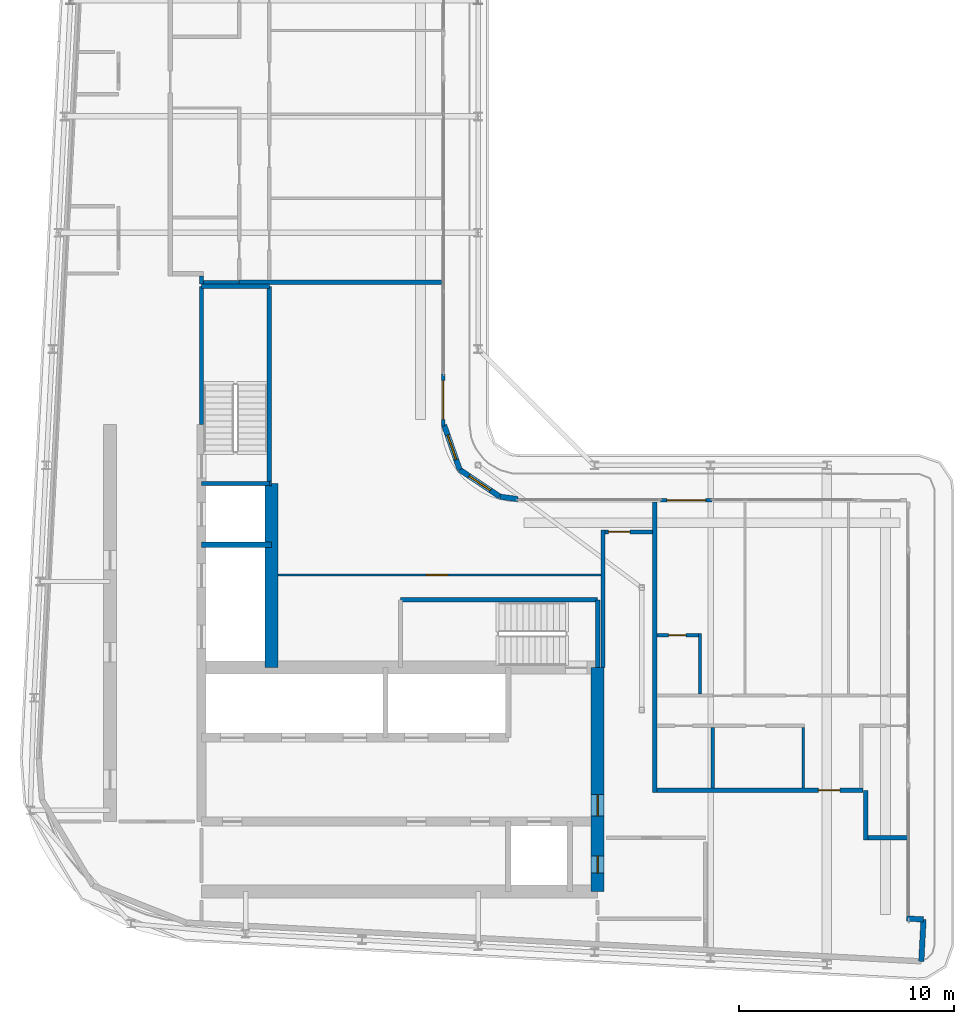
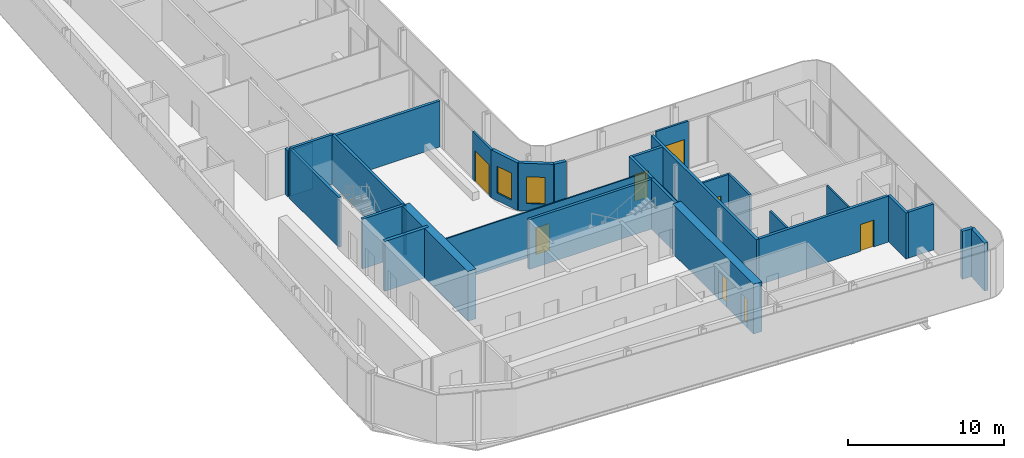
# One storey, part 12 of 21: 31 walls, 8 doors, 2 windows, 10 openings.
"""IFC4 building model written with IfcOpenShell, lengths in metres."""

from ifc_helpers import new_model, si_unit, direction, frame, frame_2d, origin, place, context, subcontext, project, spatial, rectangle, extrude, source, transform, mapped, material, layer, layer_set, type_object, element, fill, save


model = new_model("IFC4")

# Units and contexts
model_context = context("Model", 3, precision=1e-05, world=origin(), true_north=direction((0.0, 1.0)))
body_context = subcontext(model_context, "Body", "Model", "MODEL_VIEW")
ifc_project = project(units=[si_unit("LENGTHUNIT", "METRE"), si_unit("AREAUNIT", "SQUARE_METRE"), si_unit("VOLUMEUNIT", "CUBIC_METRE"), si_unit("PLANEANGLEUNIT", "RADIAN"), si_unit("MASSUNIT", "GRAM", prefix="KILO")], contexts=[model_context])

# Site, building, storey
site_placement = place(None, origin())
site = spatial("IfcSite", under=ifc_project, at=site_placement, CompositionType="ELEMENT")
building_placement = place(site_placement, origin())
building = spatial("IfcBuilding", under=site, at=building_placement, Name="Kheshtan School and Residences Tower", CompositionType="ELEMENT")
storey_placement = place(building_placement, frame((0.0, 0.0, 317.60009765625)))
storey = spatial("IfcBuildingStorey", under=building, at=storey_placement, Name="L75", CompositionType="ELEMENT", Elevation=317.60009765625)

# Wall
ifc_material_1 = material(Name="Concrete C60/75", Category="concrete")
ifc_layer_1 = layer(ifc_material_1, 0.60009765625)
ifc_layer_set_1 = layer_set([ifc_layer_1], Name="Core wall 600 Concrete C60/75")
wall_type_1 = type_object("IfcWallType", Name="Core wall 600 Concrete C60/75", PredefinedType="SHEAR", material=ifc_layer_set_1)
wall_1_placement = place(storey_placement, frame((38.0, 36.199951171875, 0.0), z_axis=(0.0, 0.0, 1.0), x_axis=(0.0, 1.0, 0.0)))
element("IfcWall", 1, at=wall_1_placement, inside=storey, type_object=wall_type_1, Name="Core wall CW-FRONT-W", PredefinedType="SHEAR", context=body_context, shape_type="SweptSolid", body=[
    extrude(rectangle(XDim=8.550048828125, YDim=0.60009765625, at=frame_2d((4.27490234375, 0.0))), origin(), (0.0, 0.0, 1.0), 3.89990234375),
])

# Wall, openings, doors
wall_2_placement = place(storey_placement, frame((53.14990234375, 25.800048828125, 0.0), z_axis=(0.0, 0.0, 1.0), x_axis=(0.0, 1.0, 0.0)))
wall_2 = element("IfcWall", 2, at=wall_2_placement, inside=storey, type_object=wall_type_1, Name="Core wall CW-EAST", PredefinedType="SHEAR", context=body_context, shape_type="SweptSolid", body=[
    extrude(rectangle(XDim=10.39990234375, YDim=0.60009765625, at=frame_2d((5.199951171875, 0.0))), origin(), (0.0, 0.0, 1.0), 3.89990234375),
])
opening_1_placement = place(wall_2_placement, frame((0.85009765625, 0.0, 0.0)))
opening_1 = element("IfcOpeningElement", 3, at=opening_1_placement, cuts=wall_2, Name="Opening SR80", PredefinedType="OPENING", context=body_context, shape_type="SweptSolid", body=[
    extrude(rectangle(XDim=0.800048828125, YDim=2.199951171875, at=frame_2d((0.39990234375, 1.10009765625))), frame((0.0, 0.31005859375, 0.0), z_axis=(0.0, -1.0, 0.0), x_axis=(1.0, 0.0, 0.0)), (0.0, 0.0, 1.0), 0.6201171875),
])
opening_2_placement = place(wall_2_placement, frame((3.5, 0.0, 0.0)))
opening_2 = element("IfcOpeningElement", 4, at=opening_2_placement, cuts=wall_2, Name="Opening SD91", PredefinedType="OPENING", context=body_context, shape_type="SweptSolid", body=[
    extrude(rectangle(XDim=1.0, YDim=2.199951171875, at=frame_2d((0.5, 1.10009765625))), frame((0.0, 0.31005859375, 0.0), z_axis=(0.0, -1.0, 0.0), x_axis=(1.0, 0.0, 0.0)), (0.0, 0.0, 1.0), 0.6201171875),
])
ifc_material_2 = material(Name="Steel door leaf, galvanised", Category="steel")
door_type_1 = type_object("IfcDoorType", Name="Service room door 800 steel 90 min", OperationType="SINGLE_SWING_LEFT", PredefinedType="DOOR", material=ifc_material_2)
shared_shape_1 = source(origin(), body_context, "Body", "SweptSolid", [
    extrude(rectangle(XDim=0.800048828125, YDim=2.199951171875, at=frame_2d((0.39990234375, 1.10009765625))), frame((0.0, 0.02490234375, 0.0), z_axis=(0.0, -1.0, 0.0), x_axis=(1.0, 0.0, 0.0)), (0.0, 0.0, 1.0), 0.050048828125),
])
door_1_placement = place(opening_1_placement, origin())
door_1 = element("IfcDoor", 5, at=door_1_placement, inside=storey, type_object=door_type_1, Name="Service room door", OperationType="SINGLE_SWING_LEFT", OverallHeight=2.199951171875, OverallWidth=0.800048828125, PredefinedType="DOOR", context=body_context, shape_type="MappedRepresentation", body=[
    mapped(shared_shape_1, transform((0.0, 0.0, 0.0), x_axis=(1.0, 0.0, 0.0), y_axis=(0.0, 1.0, 0.0), z_axis=(0.0, 0.0, 1.0), scale=1.0)),
])
fill(opening_1, door_1)
door_type_2 = type_object("IfcDoorType", Name="Firefighting lobby door 1000 steel 90 min", OperationType="SINGLE_SWING_LEFT", PredefinedType="DOOR", material=ifc_material_2)
shared_shape_2 = source(origin(), body_context, "Body", "SweptSolid", [
    extrude(rectangle(XDim=1.0, YDim=2.199951171875, at=frame_2d((0.5, 1.10009765625))), frame((0.0, 0.02490234375, 0.0), z_axis=(0.0, -1.0, 0.0), x_axis=(1.0, 0.0, 0.0)), (0.0, 0.0, 1.0), 0.050048828125),
])
door_2_placement = place(opening_2_placement, origin())
door_2 = element("IfcDoor", 6, at=door_2_placement, inside=storey, type_object=door_type_2, Name="Firefighting lobby door", OperationType="SINGLE_SWING_LEFT", OverallHeight=2.199951171875, OverallWidth=1.0, PredefinedType="DOOR", context=body_context, shape_type="MappedRepresentation", body=[
    mapped(shared_shape_2, transform((0.0, 0.0, 0.0), x_axis=(1.0, 0.0, 0.0), y_axis=(0.0, 1.0, 0.0), z_axis=(0.0, 0.0, 1.0), scale=1.0)),
])
fill(opening_2, door_2)

# Walls
ifc_material_3 = material(Name="Gypsum board on steel studs with fire boards", Category="steel")
ifc_layer_2 = layer(ifc_material_3, 0.199951171875)
ifc_layer_set_2 = layer_set([ifc_layer_2], Name="Corridor wall 200")
wall_type_2 = type_object("IfcWallType", Name="Corridor wall 200", PredefinedType="PARTITIONING", material=ifc_layer_set_2)
wall_3_placement = place(storey_placement, frame((34.75, 54.02490234375, 0.0), z_axis=(0.0, 0.0, 1.0), x_axis=(0.0, 1.0, 0.0)))
element("IfcWall", 7, at=wall_3_placement, inside=storey, type_object=wall_type_2, Name="Partition L75-014", PredefinedType="PARTITIONING", context=body_context, shape_type="SweptSolid", body=[
    extrude(rectangle(XDim=0.375, YDim=0.199951171875, at=frame_2d((0.1875, 0.0))), origin(), (0.0, 0.0, 1.0), 3.599853515625),
])
wall_4_placement = place(storey_placement, frame((53.39990234375, 36.198974609375, 0.0), z_axis=(0.0, 0.0, 1.0), x_axis=(0.0, 1.0, 0.0)))
element("IfcWall", 8, at=wall_4_placement, inside=storey, type_object=wall_type_2, Name="Partition L75-036", PredefinedType="PARTITIONING", context=body_context, shape_type="SweptSolid", body=[
    extrude(rectangle(XDim=6.401123046875, YDim=0.199951171875, at=frame_2d((3.20068359375, 0.0))), origin(), (0.0, 0.0, 1.0), 3.599853515625),
])

# Wall, opening, door
wall_5_placement = place(storey_placement, frame((53.5, 42.5, 0.0), z_axis=(0.0, 0.0, 1.0), x_axis=(1.0, 0.0, 0.0)))
wall_5 = element("IfcWall", 9, at=wall_5_placement, inside=storey, type_object=wall_type_2, Name="Partition L75-037", PredefinedType="PARTITIONING", context=body_context, shape_type="SweptSolid", body=[
    extrude(rectangle(XDim=2.199951171875, YDim=0.199951171875, at=frame_2d((1.10009765625, 0.0))), origin(), (0.0, 0.0, 1.0), 3.599853515625),
])
opening_3_placement = place(wall_5_placement, frame((0.14990234375, 0.0, 0.0)))
opening_3 = element("IfcOpeningElement", 10, at=opening_3_placement, cuts=wall_5, Name="Opening D75-033", PredefinedType="OPENING", context=body_context, shape_type="SweptSolid", body=[
    extrude(rectangle(XDim=1.0, YDim=2.10009765625, at=frame_2d((0.5, 1.050048828125))), frame((0.0, 0.10986328125, 0.0), z_axis=(0.0, -1.0, 0.0), x_axis=(1.0, 0.0, 0.0)), (0.0, 0.0, 1.0), 0.219970703125),
])
ifc_material_4 = material(Name="Steel-framed fire-resisting door leaf", Category="steel")
door_type_3 = type_object("IfcDoorType", Name="Fire door FD60 1000 x 2100", OperationType="SINGLE_SWING_LEFT", PredefinedType="DOOR", material=ifc_material_4)
shared_shape_3 = source(origin(), body_context, "Body", "SweptSolid", [
    extrude(rectangle(XDim=1.0, YDim=2.10009765625, at=frame_2d((0.5, 1.050048828125))), frame((0.0, 0.02490234375, 0.0), z_axis=(0.0, -1.0, 0.0), x_axis=(1.0, 0.0, 0.0)), (0.0, 0.0, 1.0), 0.050048828125),
])
door_3_placement = place(opening_3_placement, origin())
door_3 = element("IfcDoor", 11, at=door_3_placement, inside=storey, type_object=door_type_3, Name="Door D75-033", OperationType="SINGLE_SWING_RIGHT", OverallHeight=2.10009765625, OverallWidth=1.0, PredefinedType="DOOR", context=body_context, shape_type="MappedRepresentation", body=[
    mapped(shared_shape_3, transform((0.0, 0.0, 0.0), x_axis=(1.0, 0.0, 0.0), y_axis=(0.0, 1.0, 0.0), z_axis=(0.0, 0.0, 1.0), scale=1.0)),
])
fill(opening_3, door_3)

wall_6_placement = place(storey_placement, frame((55.89990234375, 30.5, 0.0), z_axis=(0.0, 0.0, 1.0), x_axis=(1.0, 0.0, 0.0)))
wall_6 = element("IfcWall", 12, at=wall_6_placement, inside=storey, type_object=wall_type_2, Name="Partition L75-039", PredefinedType="PARTITIONING", context=body_context, shape_type="SweptSolid", body=[
    extrude(rectangle(XDim=9.5751953125, YDim=0.199951171875, at=frame_2d((4.78759765625, 0.0))), origin(), (0.0, 0.0, 1.0), 3.599853515625),
])
opening_4_placement = place(wall_6_placement, frame((7.5, 0.0, 0.0)))
opening_4 = element("IfcOpeningElement", 13, at=opening_4_placement, cuts=wall_6, Name="Opening D75-004", PredefinedType="OPENING", context=body_context, shape_type="SweptSolid", body=[
    extrude(rectangle(XDim=1.0, YDim=2.10009765625, at=frame_2d((0.5, 1.050048828125))), frame((0.0, 0.10986328125, 0.0), z_axis=(0.0, -1.0, 0.0), x_axis=(1.0, 0.0, 0.0)), (0.0, 0.0, 1.0), 0.219970703125),
])
door_type_4 = type_object("IfcDoorType", Name="Fire door FD30S 1000 x 2100", OperationType="SINGLE_SWING_LEFT", PredefinedType="DOOR", material=ifc_material_4)
shared_shape_4 = source(origin(), body_context, "Body", "SweptSolid", [
    extrude(rectangle(XDim=1.0, YDim=2.10009765625, at=frame_2d((0.5, 1.050048828125))), frame((0.0, 0.02490234375, 0.0), z_axis=(0.0, -1.0, 0.0), x_axis=(1.0, 0.0, 0.0)), (0.0, 0.0, 1.0), 0.050048828125),
])
door_4_placement = place(opening_4_placement, origin())
door_4 = element("IfcDoor", 14, at=door_4_placement, inside=storey, type_object=door_type_4, Name="Door D75-004", OperationType="SINGLE_SWING_LEFT", OverallHeight=2.10009765625, OverallWidth=1.0, PredefinedType="DOOR", context=body_context, shape_type="MappedRepresentation", body=[
    mapped(shared_shape_4, transform((0.0, 0.0, 0.0), x_axis=(1.0, 0.0, 0.0), y_axis=(0.0, 1.0, 0.0), z_axis=(0.0, 0.0, 1.0), scale=1.0)),
])
fill(opening_4, door_4)

# Walls
wall_7_placement = place(storey_placement, frame((65.60009765625, 28.199951171875, 0.0), z_axis=(0.0, 0.0, 1.0), x_axis=(0.0, 1.0, 0.0)))
element("IfcWall", 15, at=wall_7_placement, inside=storey, type_object=wall_type_2, Name="Partition L75-050", PredefinedType="PARTITIONING", context=body_context, shape_type="SweptSolid", body=[
    extrude(rectangle(XDim=2.300048828125, YDim=0.199951171875, at=frame_2d((1.14990234375, 0.0))), origin(), (0.0, 0.0, 1.0), 3.599853515625),
])
wall_8_placement = place(storey_placement, frame((65.699951171875, 28.300048828125, 0.0), z_axis=(0.0, 0.0, 1.0), x_axis=(1.0, 0.0, 0.0)))
element("IfcWall", 16, at=wall_8_placement, inside=storey, type_object=wall_type_2, Name="Partition L75-051", PredefinedType="PARTITIONING", context=body_context, shape_type="SweptSolid", body=[
    extrude(rectangle(XDim=1.8701171875, YDim=0.199951171875, at=frame_2d((0.93505859375, 0.0))), origin(), (0.0, 0.0, 1.0), 3.599853515625),
])

# Wall, opening, window
ifc_material_5 = material(Name="Concrete C40/50 with ceramic cladding and mineral wool insulation", Category="concrete")
ifc_layer_3 = layer(ifc_material_5, 0.25)
ifc_layer_set_3 = layer_set([ifc_layer_3], Name="External wall 250 ceramic clad")
wall_type_3 = type_object("IfcWallType", Name="External wall 250 ceramic clad", PredefinedType="SOLIDWALL", material=ifc_layer_set_3)
wall_9_placement = place(storey_placement, frame((46.01806640625, 47.470947265625, 0.0), z_axis=(0.0, 0.0, 1.0), x_axis=(0.328791208903, -0.944402637093, 0.0)))
wall_9 = element("IfcWall", 17, at=wall_9_placement, inside=storey, type_object=wall_type_3, Name="External wall L75 9", PredefinedType="SOLIDWALL", context=body_context, shape_type="SweptSolid", body=[
    extrude(rectangle(XDim=2.20458984375, YDim=0.25, at=frame_2d((1.102294921875, 0.0))), origin(), (0.0, 0.0, 1.0), 3.75),
])
opening_5_placement = place(wall_9_placement, frame((0.5029296875, 0.0, 0.60009765625)))
opening_5 = element("IfcOpeningElement", 18, at=opening_5_placement, cuts=wall_9, Name="Opening WN-E", PredefinedType="OPENING", context=body_context, shape_type="SweptSolid", body=[
    extrude(rectangle(XDim=1.199951171875, YDim=2.10009765625, at=frame_2d((0.60009765625, 1.050048828125))), frame((0.0, 0.135009765625, 0.0), z_axis=(0.0, -1.0, 0.0), x_axis=(1.0, 0.0, 0.0)), (0.0, 0.0, 1.0), 0.27001953125),
])
ifc_material_6 = material(Name="Clear low-e glass in thermally broken aluminium frame", Category="aluminium")
window_type = type_object("IfcWindowType", Name="Window WN-E", PartitioningType="SINGLE_PANEL", PredefinedType="WINDOW", material=ifc_material_6)
shared_shape_5 = source(origin(), body_context, "Body", "SweptSolid", [
    extrude(rectangle(XDim=1.199951171875, YDim=2.10009765625, at=frame_2d((0.60009765625, 1.050048828125))), frame((0.0, 0.030029296875, 0.0), z_axis=(0.0, -1.0, 0.0), x_axis=(1.0, 0.0, 0.0)), (0.0, 0.0, 1.0), 0.06005859375),
])
window_1_placement = place(opening_5_placement, origin())
window_1 = element("IfcWindow", 19, at=window_1_placement, inside=storey, type_object=window_type, Name="Window L75 9", OverallHeight=2.10009765625, OverallWidth=1.199951171875, PartitioningType="SINGLE_PANEL", PredefinedType="WINDOW", context=body_context, shape_type="MappedRepresentation", body=[
    mapped(shared_shape_5, transform((0.0, 0.0, 0.0), x_axis=(1.0, 0.0, 0.0), y_axis=(0.0, 1.0, 0.0), z_axis=(0.0, 0.0, 1.0), scale=1.0)),
])
fill(opening_5, window_1)

wall_10_placement = place(storey_placement, frame((46.742919921875, 45.388916015625, 0.0), z_axis=(0.0, 0.0, 1.0), x_axis=(0.831449265529, -0.555600682912, 0.0)))
wall_10 = element("IfcWall", 20, at=wall_10_placement, inside=storey, type_object=wall_type_3, Name="External wall L75 10", PredefinedType="SOLIDWALL", context=body_context, shape_type="SweptSolid", body=[
    extrude(rectangle(XDim=2.25146484375, YDim=0.25, at=frame_2d((1.125732421875, 0.0))), origin(), (0.0, 0.0, 1.0), 3.75),
])
opening_6_placement = place(wall_10_placement, frame((0.52490234375, 0.0, 0.60009765625)))
opening_6 = element("IfcOpeningElement", 21, at=opening_6_placement, cuts=wall_10, Name="Opening WN-E", PredefinedType="OPENING", context=body_context, shape_type="SweptSolid", body=[
    extrude(rectangle(XDim=1.199951171875, YDim=2.10009765625, at=frame_2d((0.60009765625, 1.050048828125))), frame((0.0, 0.135009765625, 0.0), z_axis=(0.0, -1.0, 0.0), x_axis=(1.0, 0.0, 0.0)), (0.0, 0.0, 1.0), 0.27001953125),
])
window_2_placement = place(opening_6_placement, origin())
window_2 = element("IfcWindow", 22, at=window_2_placement, inside=storey, type_object=window_type, Name="Window L75 10", OverallHeight=2.10009765625, OverallWidth=1.199951171875, PartitioningType="SINGLE_PANEL", PredefinedType="WINDOW", context=body_context, shape_type="MappedRepresentation", body=[
    mapped(shared_shape_5, transform((0.0, 0.0, 0.0), x_axis=(1.0, 0.0, 0.0), y_axis=(0.0, 1.0, 0.0), z_axis=(0.0, 0.0, 1.0), scale=1.0)),
])
fill(opening_6, window_2)

# Walls
wall_11_placement = place(storey_placement, frame((48.614990234375, 44.137939453125, 0.0), z_axis=(0.0, 0.0, 1.0), x_axis=(0.990741504246, -0.135761819977, 0.0)))
element("IfcWall", 23, at=wall_11_placement, inside=storey, type_object=wall_type_3, Name="External wall L75 11", PredefinedType="SOLIDWALL", context=body_context, shape_type="SweptSolid", body=[
    extrude(rectangle(XDim=0.83984375, YDim=0.25, at=frame_2d((0.419921875, 0.0))), origin(), (0.0, 0.0, 1.0), 3.75),
])
wall_12_placement = place(storey_placement, frame((67.507080078125, 24.5439453125, 0.0), z_axis=(0.0, 0.0, 1.0), x_axis=(0.998561284263, -0.053622398031, 0.0)))
element("IfcWall", 24, at=wall_12_placement, inside=storey, type_object=wall_type_3, Name="External wall L75 14", PredefinedType="SOLIDWALL", context=body_context, shape_type="SweptSolid", body=[
    extrude(rectangle(XDim=0.783203125, YDim=0.25, at=frame_2d((0.3916015625, 0.0))), origin(), (0.0, 0.0, 1.0), 3.75),
])
wall_13_placement = place(storey_placement, frame((68.2890625, 24.501953125, 0.0), z_axis=(0.0, 0.0, 1.0), x_axis=(-0.052841433274, -0.998602915542, 0.0)))
element("IfcWall", 25, at=wall_13_placement, inside=storey, type_object=wall_type_3, Name="External wall L75 15", PredefinedType="SOLIDWALL", context=body_context, shape_type="SweptSolid", body=[
    extrude(rectangle(XDim=1.94970703125, YDim=0.25, at=frame_2d((0.974853515625, 0.0))), origin(), (0.0, 0.0, 1.0), 3.75),
])

# Wall, opening, door
ifc_material_7 = material(Name="Aluminium frame wall with insulated infill", Category="aluminium")
ifc_layer_4 = layer(ifc_material_7, 0.14990234375)
ifc_layer_set_4 = layer_set([ifc_layer_4], Name="Glazing frame wall 150")
wall_type_4 = type_object("IfcWallType", Name="Glazing frame wall 150", PredefinedType="SOLIDWALL", material=ifc_layer_set_4)
wall_14_placement = place(storey_placement, frame((45.97509765625, 49.830078125, 0.0), z_axis=(0.0, 0.0, 1.0), x_axis=(0.0, -1.0, 0.0)))
wall_14 = element("IfcWall", 26, at=wall_14_placement, inside=storey, type_object=wall_type_4, Name="Balcony door wall L75 8.5", PredefinedType="SOLIDWALL", context=body_context, shape_type="SweptSolid", body=[
    extrude(rectangle(XDim=2.400146484375, YDim=0.14990234375, at=frame_2d((1.2001953125, 0.0))), origin(), (0.0, 0.0, 1.0), 3.75),
])
opening_7_placement = place(wall_14_placement, frame((0.300048828125, 0.0, 0.0)))
opening_7 = element("IfcOpeningElement", 27, at=opening_7_placement, cuts=wall_14, Name="Opening BD", PredefinedType="OPENING", context=body_context, shape_type="SweptSolid", body=[
    extrude(rectangle(XDim=1.800048828125, YDim=2.39990234375, at=frame_2d((0.89990234375, 1.199951171875))), frame((0.0, 0.0849609375, 0.0), z_axis=(0.0, -1.0, 0.0), x_axis=(1.0, 0.0, 0.0)), (0.0, 0.0, 1.0), 0.169921875),
])
door_type_5 = type_object("IfcDoorType", Name="Balcony sliding door", OperationType="SLIDING_TO_LEFT", PredefinedType="DOOR", material=ifc_material_6)
shared_shape_6 = source(origin(), body_context, "Body", "SweptSolid", [
    extrude(rectangle(XDim=1.800048828125, YDim=2.39990234375, at=frame_2d((0.89990234375, 1.199951171875))), frame((0.0, 0.02490234375, 0.0), z_axis=(0.0, -1.0, 0.0), x_axis=(1.0, 0.0, 0.0)), (0.0, 0.0, 1.0), 0.050048828125),
])
door_5_placement = place(opening_7_placement, origin())
door_5 = element("IfcDoor", 28, at=door_5_placement, inside=storey, type_object=door_type_5, Name="Balcony door L75 8.5", OperationType="SLIDING_TO_LEFT", OverallHeight=2.39990234375, OverallWidth=1.800048828125, PredefinedType="DOOR", context=body_context, shape_type="MappedRepresentation", body=[
    mapped(shared_shape_6, transform((0.0, 0.0, 0.0), x_axis=(1.0, 0.0, 0.0), y_axis=(0.0, 1.0, 0.0), z_axis=(0.0, 0.0, 1.0), scale=1.0)),
])
fill(opening_7, door_5)

wall_15_placement = place(storey_placement, frame((56.06494140625, 43.97509765625, 0.0), z_axis=(0.0, 0.0, 1.0), x_axis=(1.0, 0.0, 0.0)))
wall_15 = element("IfcWall", 29, at=wall_15_placement, inside=storey, type_object=wall_type_4, Name="Balcony door wall L75 12.1", PredefinedType="SOLIDWALL", context=body_context, shape_type="SweptSolid", body=[
    extrude(rectangle(XDim=2.400146484375, YDim=0.14990234375, at=frame_2d((1.2001953125, 0.0))), origin(), (0.0, 0.0, 1.0), 3.75),
])
opening_8_placement = place(wall_15_placement, frame((0.300048828125, 0.0, 0.0)))
opening_8 = element("IfcOpeningElement", 30, at=opening_8_placement, cuts=wall_15, Name="Opening BD", PredefinedType="OPENING", context=body_context, shape_type="SweptSolid", body=[
    extrude(rectangle(XDim=1.800048828125, YDim=2.39990234375, at=frame_2d((0.89990234375, 1.199951171875))), frame((0.0, 0.0849609375, 0.0), z_axis=(0.0, -1.0, 0.0), x_axis=(1.0, 0.0, 0.0)), (0.0, 0.0, 1.0), 0.169921875),
])
door_6_placement = place(opening_8_placement, origin())
door_6 = element("IfcDoor", 31, at=door_6_placement, inside=storey, type_object=door_type_5, Name="Balcony door L75 12.1", OperationType="SLIDING_TO_LEFT", OverallHeight=2.39990234375, OverallWidth=1.800048828125, PredefinedType="DOOR", context=body_context, shape_type="MappedRepresentation", body=[
    mapped(shared_shape_6, transform((0.0, 0.0, 0.0), x_axis=(1.0, 0.0, 0.0), y_axis=(0.0, 1.0, 0.0), z_axis=(0.0, 0.0, 1.0), scale=1.0)),
])
fill(opening_8, door_6)

ifc_material_8 = material(Name="Gypsum board on steel studs", Category="steel")
ifc_layer_5 = layer(ifc_material_8, 0.10009765625)
ifc_layer_set_5 = layer_set([ifc_layer_5], Name="Gypsum partition 100")
wall_type_5 = type_object("IfcWallType", Name="Gypsum partition 100", PredefinedType="PARTITIONING", material=ifc_layer_set_5)
wall_16_placement = place(storey_placement, frame((38.299072265625, 40.5, 0.0), z_axis=(0.0, 0.0, 1.0), x_axis=(1.0, 0.0, 0.0)))
wall_16 = element("IfcWall", 32, at=wall_16_placement, inside=storey, type_object=wall_type_5, Name="Partition L75-034", PredefinedType="PARTITIONING", context=body_context, shape_type="SweptSolid", body=[
    extrude(rectangle(XDim=15.0009765625, YDim=0.10009765625, at=frame_2d((7.50048828125, 0.0))), origin(), (0.0, 0.0, 1.0), 3.599853515625),
])
opening_9_placement = place(wall_16_placement, frame((6.90087890625, 0.0, 0.0)))
opening_9 = element("IfcOpeningElement", 33, at=opening_9_placement, cuts=wall_16, Name="Opening D75-032", PredefinedType="OPENING", context=body_context, shape_type="SweptSolid", body=[
    extrude(rectangle(XDim=1.0, YDim=2.10009765625, at=frame_2d((0.5, 1.050048828125))), frame((0.0, 0.06005859375, 0.0), z_axis=(0.0, -1.0, 0.0), x_axis=(1.0, 0.0, 0.0)), (0.0, 0.0, 1.0), 0.1201171875),
])
ifc_material_9 = material(Name="Veneered timber door leaf", Category="wood")
door_type_6 = type_object("IfcDoorType", Name="Door 1000 x 2100", OperationType="SINGLE_SWING_LEFT", PredefinedType="DOOR", material=ifc_material_9)
shared_shape_7 = source(origin(), body_context, "Body", "SweptSolid", [
    extrude(rectangle(XDim=1.0, YDim=2.10009765625, at=frame_2d((0.5, 1.050048828125))), frame((0.0, 0.02490234375, 0.0), z_axis=(0.0, -1.0, 0.0), x_axis=(1.0, 0.0, 0.0)), (0.0, 0.0, 1.0), 0.050048828125),
])
door_7_placement = place(opening_9_placement, origin())
door_7 = element("IfcDoor", 34, at=door_7_placement, inside=storey, type_object=door_type_6, Name="Door D75-032", OperationType="SINGLE_SWING_RIGHT", OverallHeight=2.10009765625, OverallWidth=1.0, PredefinedType="DOOR", context=body_context, shape_type="MappedRepresentation", body=[
    mapped(shared_shape_7, transform((0.0, 0.0, 0.0), x_axis=(1.0, 0.0, 0.0), y_axis=(0.0, 1.0, 0.0), z_axis=(0.0, 0.0, 1.0), scale=1.0)),
])
fill(opening_9, door_7)

# Walls
wall_17_placement = place(storey_placement, frame((62.699951171875, 30.60009765625, 0.0), z_axis=(0.0, 0.0, 1.0), x_axis=(0.0, 1.0, 0.0)))
element("IfcWall", 35, at=wall_17_placement, inside=storey, type_object=wall_type_5, Name="Partition L75-046", PredefinedType="PARTITIONING", context=body_context, shape_type="SweptSolid", body=[
    extrude(rectangle(XDim=2.824951171875, YDim=0.10009765625, at=frame_2d((1.41259765625, 0.0))), origin(), (0.0, 0.0, 1.0), 3.599853515625),
])
ifc_material_10 = material(Name="Fire-board shaft wall system")
ifc_layer_6 = layer(ifc_material_10, 0.25)
ifc_layer_set_6 = layer_set([ifc_layer_6], Name="Shaft lining wall 250")
wall_type_6 = type_object("IfcWallType", Name="Shaft lining wall 250", PredefinedType="PARTITIONING", material=ifc_layer_set_6)
wall_18_placement = place(storey_placement, frame((34.75, 41.89990234375, 0.0), z_axis=(0.0, 0.0, 1.0), x_axis=(1.0, 0.0, 0.0)))
element("IfcWall", 36, at=wall_18_placement, inside=storey, type_object=wall_type_6, Name="Shaft lining wall", PredefinedType="PARTITIONING", context=body_context, shape_type="SweptSolid", body=[
    extrude(rectangle(XDim=3.25, YDim=0.25, at=frame_2d((1.625, 0.0))), origin(), (0.0, 0.0, 1.0), 3.89990234375),
])
wall_19_placement = place(storey_placement, frame((37.89990234375, 44.75, 0.0), z_axis=(0.0, 0.0, 1.0), x_axis=(1.0, 0.0, 0.0)))
element("IfcWall", 37, at=wall_19_placement, inside=storey, type_object=wall_type_6, Name="Shaft lining wall", PredefinedType="PARTITIONING", context=body_context, shape_type="SweptSolid", body=[
    extrude(rectangle(XDim=0.10009765625, YDim=0.25, at=frame_2d((0.050048828125, 0.0))), origin(), (0.0, 0.0, 1.0), 3.89990234375),
])
ifc_material_11 = material(Name="Concrete C40/50", Category="concrete")
ifc_layer_7 = layer(ifc_material_11, 0.199951171875)
ifc_layer_set_7 = layer_set([ifc_layer_7], Name="Stair enclosure wall 200 Concrete C40/50")
wall_type_7 = type_object("IfcWallType", Name="Stair enclosure wall 200 Concrete C40/50", PredefinedType="SHEAR", material=ifc_layer_set_7)
wall_20_placement = place(storey_placement, frame((43.989990234375, 39.35009765625, 0.0), z_axis=(0.0, 0.0, 1.0), x_axis=(1.0, 0.0, 0.0)))
element("IfcWall", 38, at=wall_20_placement, inside=storey, type_object=wall_type_7, Name="Stair enclosure wall ST1", PredefinedType="SHEAR", context=body_context, shape_type="SweptSolid", body=[
    extrude(rectangle(XDim=9.159912109375, YDim=0.199951171875, at=frame_2d((4.580078125, 0.0))), origin(), (0.0, 0.0, 1.0), 3.89990234375),
])
wall_21_placement = place(storey_placement, frame((53.14990234375, 36.199951171875, 0.0), z_axis=(0.0, 0.0, 1.0), x_axis=(0.0, 1.0, 0.0)))
element("IfcWall", 39, at=wall_21_placement, inside=storey, type_object=wall_type_7, Name="Stair enclosure wall ST1", PredefinedType="SHEAR", context=body_context, shape_type="SweptSolid", body=[
    extrude(rectangle(XDim=3.150146484375, YDim=0.199951171875, at=frame_2d((1.5751953125, 0.0))), origin(), (0.0, 0.0, 1.0), 3.89990234375),
])
for number, where, z_axis, x_axis, name in (
    (40, (34.75, 44.75, 0.0), (0.0, 0.0, 1.0), (1.0, 0.0, 0.0), "Stair enclosure wall ST2"),
    (41, (34.75, 53.909912109375, 0.0), (0.0, 0.0, 1.0), (1.0, 0.0, 0.0), "Stair enclosure wall ST2"),
):
    element("IfcWall", number, at=place(storey_placement, frame(where, z_axis=z_axis, x_axis=x_axis)), inside=storey, type_object=wall_type_7, Name=name, PredefinedType="SHEAR", context=body_context, shape_type="SweptSolid", body=[
        extrude(rectangle(XDim=3.14990234375, YDim=0.199951171875, at=frame_2d((1.574951171875, 0.0))), origin(), (0.0, 0.0, 1.0), 3.89990234375),
    ])
wall_22_placement = place(storey_placement, frame((34.75, 47.5, 0.0), z_axis=(0.0, 0.0, 1.0), x_axis=(0.0, 1.0, 0.0)))
element("IfcWall", 42, at=wall_22_placement, inside=storey, type_object=wall_type_7, Name="Stair enclosure wall ST2", PredefinedType="SHEAR", context=body_context, shape_type="SweptSolid", body=[
    extrude(rectangle(XDim=6.409912109375, YDim=0.199951171875, at=frame_2d((3.205078125, 0.0))), origin(), (0.0, 0.0, 1.0), 3.89990234375),
])
wall_23_placement = place(storey_placement, frame((37.89990234375, 44.75, 0.0), z_axis=(0.0, 0.0, 1.0), x_axis=(0.0, 1.0, 0.0)))
element("IfcWall", 43, at=wall_23_placement, inside=storey, type_object=wall_type_7, Name="Stair enclosure wall ST2", PredefinedType="SHEAR", context=body_context, shape_type="SweptSolid", body=[
    extrude(rectangle(XDim=9.159912109375, YDim=0.199951171875, at=frame_2d((4.580078125, 0.0))), origin(), (0.0, 0.0, 1.0), 3.89990234375),
])
ifc_material_12 = material(Name="Twin gypsum board on steel studs with mineral wool", Category="steel")
ifc_layer_8 = layer(ifc_material_12, 0.199951171875)
ifc_layer_set_8 = layer_set([ifc_layer_8], Name="Unit demising wall 200")
wall_type_8 = type_object("IfcWallType", Name="Unit demising wall 200", PredefinedType="PARTITIONING", material=ifc_layer_set_8)
wall_24_placement = place(storey_placement, frame((36.5, 54.10009765625, 0.0), z_axis=(0.0, 0.0, 1.0), x_axis=(1.0, 0.0, 0.0)))
element("IfcWall", 44, at=wall_24_placement, inside=storey, type_object=wall_type_8, Name="Partition L75-017", PredefinedType="PARTITIONING", context=body_context, shape_type="SweptSolid", body=[
    extrude(rectangle(XDim=9.39990234375, YDim=0.199951171875, at=frame_2d((4.699951171875, 0.0))), origin(), (0.0, 0.0, 1.0), 3.599853515625),
])
wall_25_placement = place(storey_placement, frame((55.800048828125, 30.39990234375, 0.0), z_axis=(0.0, 0.0, 1.0), x_axis=(0.0, 1.0, 0.0)))
element("IfcWall", 45, at=wall_25_placement, inside=storey, type_object=wall_type_8, Name="Partition L75-038", PredefinedType="PARTITIONING", context=body_context, shape_type="SweptSolid", body=[
    extrude(rectangle(XDim=13.5, YDim=0.199951171875, at=frame_2d((6.75, 0.0))), origin(), (0.0, 0.0, 1.0), 3.599853515625),
])
ifc_material_13 = material(Name="Moisture-resistant gypsum board on steel studs", Category="steel")
ifc_layer_9 = layer(ifc_material_13, 0.14990234375)
ifc_layer_set_9 = layer_set([ifc_layer_9], Name="Wet-room partition 150")
wall_type_9 = type_object("IfcWallType", Name="Wet-room partition 150", PredefinedType="PARTITIONING", material=ifc_layer_set_9)
wall_26_placement = place(storey_placement, frame((34.85009765625, 54.10009765625, 0.0), z_axis=(0.0, 0.0, 1.0), x_axis=(1.0, 0.0, 0.0)))
element("IfcWall", 46, at=wall_26_placement, inside=storey, type_object=wall_type_9, Name="Partition L75-015", PredefinedType="PARTITIONING", context=body_context, shape_type="SweptSolid", body=[
    extrude(rectangle(XDim=1.64990234375, YDim=0.14990234375, at=frame_2d((0.824951171875, 0.0))), origin(), (0.0, 0.0, 1.0), 3.599853515625),
])

# Wall, opening, door
wall_27_placement = place(storey_placement, frame((55.89990234375, 37.699951171875, 0.0), z_axis=(0.0, 0.0, 1.0), x_axis=(1.0, 0.0, 0.0)))
wall_27 = element("IfcWall", 47, at=wall_27_placement, inside=storey, type_object=wall_type_9, Name="Partition L75-042", PredefinedType="PARTITIONING", context=body_context, shape_type="SweptSolid", body=[
    extrude(rectangle(XDim=1.925048828125, YDim=0.14990234375, at=frame_2d((0.96240234375, 0.0))), origin(), (0.0, 0.0, 1.0), 3.599853515625),
])
opening_10_placement = place(wall_27_placement, frame((0.550048828125, 0.0, 0.0)))
opening_10 = element("IfcOpeningElement", 48, at=opening_10_placement, cuts=wall_27, Name="Opening D75-003", PredefinedType="OPENING", context=body_context, shape_type="SweptSolid", body=[
    extrude(rectangle(XDim=0.800048828125, YDim=2.10009765625, at=frame_2d((0.39990234375, 1.050048828125))), frame((0.0, 0.0849609375, 0.0), z_axis=(0.0, -1.0, 0.0), x_axis=(1.0, 0.0, 0.0)), (0.0, 0.0, 1.0), 0.169921875),
])
door_type_7 = type_object("IfcDoorType", Name="Door 800 x 2100", OperationType="SINGLE_SWING_LEFT", PredefinedType="DOOR", material=ifc_material_9)
shared_shape_8 = source(origin(), body_context, "Body", "SweptSolid", [
    extrude(rectangle(XDim=0.800048828125, YDim=2.10009765625, at=frame_2d((0.39990234375, 1.050048828125))), frame((0.0, 0.02490234375, 0.0), z_axis=(0.0, -1.0, 0.0), x_axis=(1.0, 0.0, 0.0)), (0.0, 0.0, 1.0), 0.050048828125),
])
door_8_placement = place(opening_10_placement, origin())
door_8 = element("IfcDoor", 49, at=door_8_placement, inside=storey, type_object=door_type_7, Name="Door D75-003", OperationType="SINGLE_SWING_LEFT", OverallHeight=2.10009765625, OverallWidth=0.800048828125, PredefinedType="DOOR", context=body_context, shape_type="MappedRepresentation", body=[
    mapped(shared_shape_8, transform((0.0, 0.0, 0.0), x_axis=(1.0, 0.0, 0.0), y_axis=(0.0, 1.0, 0.0), z_axis=(0.0, 0.0, 1.0), scale=1.0)),
])
fill(opening_10, door_8)

# Walls
wall_28_placement = place(storey_placement, frame((57.89990234375, 34.97509765625, 0.0), z_axis=(0.0, 0.0, 1.0), x_axis=(0.0, 1.0, 0.0)))
element("IfcWall", 50, at=wall_28_placement, inside=storey, type_object=wall_type_9, Name="Partition L75-043", PredefinedType="PARTITIONING", context=body_context, shape_type="SweptSolid", body=[
    extrude(rectangle(XDim=2.7998046875, YDim=0.14990234375, at=frame_2d((1.39990234375, 0.0))), origin(), (0.0, 0.0, 1.0), 3.599853515625),
])
wall_29_placement = place(storey_placement, frame((58.5, 30.60009765625, 0.0), z_axis=(0.0, 0.0, 1.0), x_axis=(0.0, 1.0, 0.0)))
element("IfcWall", 51, at=wall_29_placement, inside=storey, type_object=wall_type_9, Name="Partition L75-044", PredefinedType="PARTITIONING", context=body_context, shape_type="SweptSolid", body=[
    extrude(rectangle(XDim=2.824951171875, YDim=0.14990234375, at=frame_2d((1.41259765625, 0.0))), origin(), (0.0, 0.0, 1.0), 3.072021484375),
])

save(model, "model.ifc")
